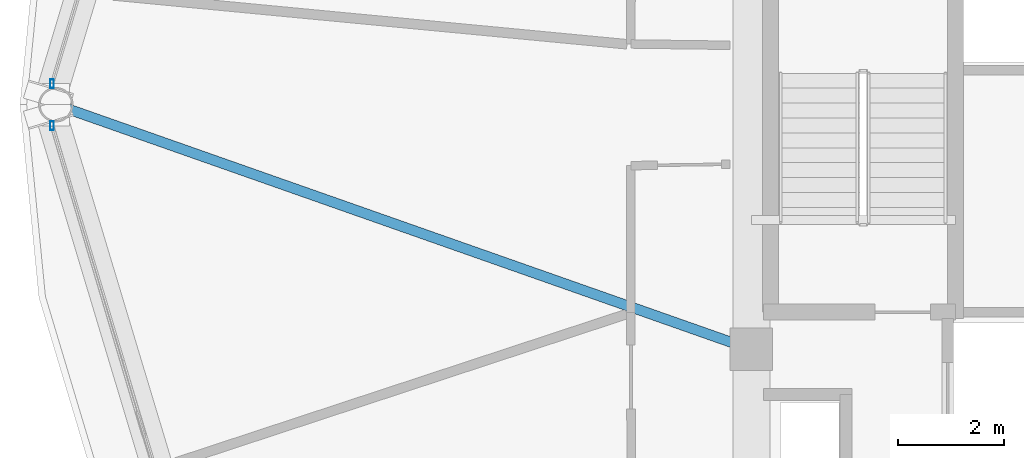
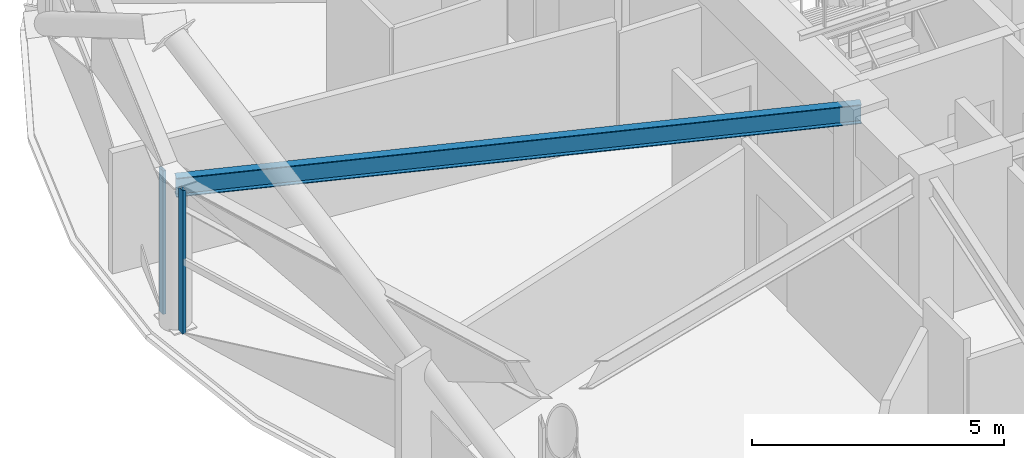
# One storey, part 7 of 30: 2 members, 1 beam, 2 elements without a shape of their own.
"""IFC4 building model written with IfcOpenShell, lengths in metres."""

from ifc_helpers import new_model, si_unit, direction, frame, origin, origin_2d, place, context, subcontext, project, spatial, hollow_rectangle, i_section, extrude, material, layer, layer_set, material_profile, profile_set, type_object, element, aggregate, save


model = new_model("IFC4")

# Units and contexts
model_context = context("Model", 3, precision=1e-05, world=origin(), true_north=direction((0.0, 1.0)))
body_context = subcontext(model_context, "Body", "Model", "MODEL_VIEW")
ifc_project = project(units=[si_unit("LENGTHUNIT", "METRE"), si_unit("AREAUNIT", "SQUARE_METRE"), si_unit("VOLUMEUNIT", "CUBIC_METRE"), si_unit("PLANEANGLEUNIT", "RADIAN"), si_unit("MASSUNIT", "GRAM", prefix="KILO")], contexts=[model_context])

# Site, building, storey
site_placement = place(None, origin())
site = spatial("IfcSite", under=ifc_project, at=site_placement, CompositionType="ELEMENT")
building_placement = place(site_placement, origin())
building = spatial("IfcBuilding", under=site, at=building_placement, Name="Vantalir Tower", CompositionType="ELEMENT")
storey_placement = place(building_placement, frame((0.0, 0.0, 189.89990234375)))
storey = spatial("IfcBuildingStorey", under=building, at=storey_placement, Name="L47", CompositionType="ELEMENT", Elevation=189.89990234375)

# Beam
ifc_material_1 = material(Name="Steel S355", Category="steel")
ifc_material_profile_1 = material_profile(ifc_material_1, i_section(OverallWidth=0.19189453125, OverallDepth=0.462890625, WebThickness=0.010498046875, FlangeThickness=0.017578125, at=origin_2d()), Name="Steel S355")
ifc_profile_set_1 = profile_set([ifc_material_profile_1], Name="Steel S355")
beam_type = type_object("IfcBeamType", Name="BM-RB-457x191", PredefinedType="BEAM", material=ifc_profile_set_1)
beam_placement = place(storey_placement, frame((8.823974609375, 25.0, 3.338134765625), z_axis=(0.943328014031, -0.331861805492, 0.0), x_axis=(0.331861805492, 0.943328014031, 0.0)))
element("IfcBeam", 1, at=beam_placement, inside=storey, type_object=beam_type, Name="L47 Radial Floor Beam 07", PredefinedType="BEAM", context=body_context, shape_type="SweptSolid", body=[
    extrude(i_section(OverallWidth=0.19189453125, OverallDepth=0.462890625, WebThickness=0.010498046875, FlangeThickness=0.017578125, at=origin_2d()), origin(), (0.0, 0.0, 1.0), 13.861572265625),
])

# Curtain wall, member
ifc_material_2 = material(Name="Champagne-silver PVDF aluminium and double-silver Low-E glass", Category="aluminium")
ifc_layer = layer(ifc_material_2, 0.2099609375)
ifc_layer_set = layer_set([ifc_layer], Name="Champagne-silver PVDF aluminium and double-silver Low-E glass")
curtain_wall_type = type_object("IfcCurtainWallType", Name="CW-DIAMOND-Z3", PredefinedType="USERDEFINED", material=ifc_layer_set)
curtain_wall_1_placement = place(storey_placement, origin())
curtain_wall_1 = element("IfcCurtainWall", 2, at=curtain_wall_1_placement, inside=storey, type_object=curtain_wall_type, Name="L47 Quilted Pyramid-Diamond Curtain Wall S06", ObjectType="UNITISED CURTAIN WALL", PredefinedType="USERDEFINED")
ifc_material_3 = material(Name="Champagne-silver PVDF aluminium 6063-T6", Category="aluminium")
ifc_material_profile_2 = material_profile(ifc_material_3, hollow_rectangle(XDim=0.070068359375, YDim=0.1650390625, WallThickness=0.00390625, at=origin_2d()), Name="Champagne-silver PVDF aluminium 6063-T6")
ifc_profile_set_2 = profile_set([ifc_material_profile_2], Name="Champagne-silver PVDF aluminium 6063-T6")
member_type = type_object("IfcMemberType", Name="CWM-165x70", PredefinedType="MULLION", material=ifc_profile_set_2)
member_1_placement = place(storey_placement, frame((8.751953125, 25.39306640625, 0.045166015625), z_axis=(0.0, 0.0, 1.0), x_axis=(1.0, 0.0, 0.0)))
member_1 = element("IfcMember", 3, at=member_1_placement, type_object=member_type, Name="CW-L47-S06 Mullion 2", PredefinedType="MULLION", context=body_context, shape_type="SweptSolid", body=[
    extrude(hollow_rectangle(XDim=0.070068359375, YDim=0.1650390625, WallThickness=0.00390625, at=origin_2d()), origin(), (0.0, 0.0, 1.0), 3.47998046875),
])
aggregate(curtain_wall_1, [member_1])

curtain_wall_2_placement = place(storey_placement, origin())
curtain_wall_2 = element("IfcCurtainWall", 4, at=curtain_wall_2_placement, inside=storey, type_object=curtain_wall_type, Name="L47 Quilted Pyramid-Diamond Curtain Wall S07", ObjectType="UNITISED CURTAIN WALL", PredefinedType="USERDEFINED")
member_2_placement = place(storey_placement, frame((8.751953125, 24.60693359375, 0.045166015625), z_axis=(0.0, 0.0, 1.0), x_axis=(1.0, 0.0, 0.0)))
member_2 = element("IfcMember", 5, at=member_2_placement, type_object=member_type, Name="CW-L47-S07 Mullion 1", PredefinedType="MULLION", context=body_context, shape_type="SweptSolid", body=[
    extrude(hollow_rectangle(XDim=0.070068359375, YDim=0.1650390625, WallThickness=0.00390625, at=origin_2d()), origin(), (0.0, 0.0, 1.0), 3.47998046875),
])
aggregate(curtain_wall_2, [member_2])

save(model, "model.ifc")
